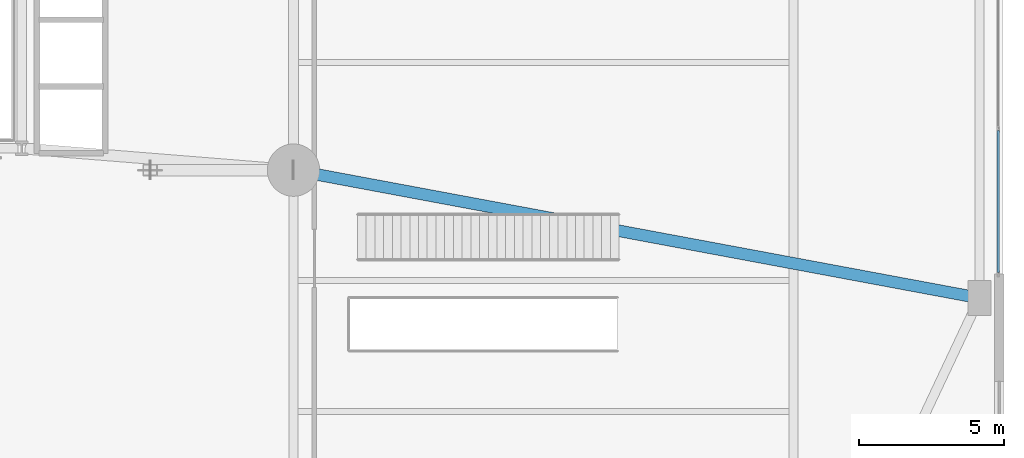
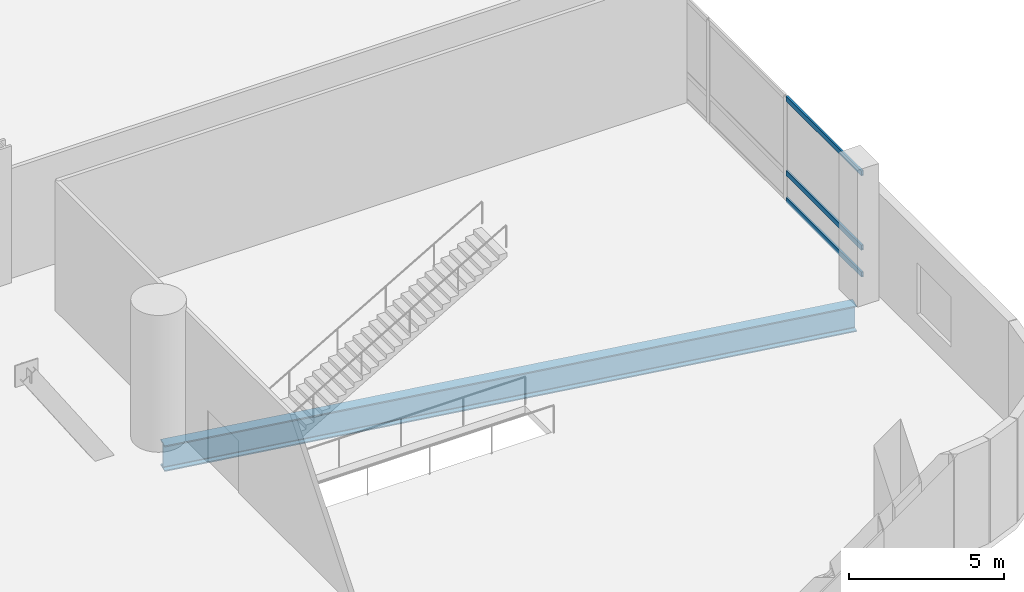
# One storey, part 20 of 40: 3 members, 1 beam, 1 element without a shape of its own.
"""IFC4 building model written with IfcOpenShell, lengths in metres."""

from ifc_helpers import new_model, si_unit, direction, frame, origin, origin_2d, place, context, subcontext, project, spatial, hollow_rectangle, i_section, extrude, material, layer, layer_set, material_profile, profile_set, type_object, element, aggregate, save


model = new_model("IFC4")

# Units and contexts
model_context = context("Model", 3, precision=1e-05, world=origin(), true_north=direction((0.0, 1.0)))
body_context = subcontext(model_context, "Body", "Model", "MODEL_VIEW")
ifc_project = project(units=[si_unit("LENGTHUNIT", "METRE"), si_unit("AREAUNIT", "SQUARE_METRE"), si_unit("VOLUMEUNIT", "CUBIC_METRE"), si_unit("PLANEANGLEUNIT", "RADIAN"), si_unit("MASSUNIT", "GRAM", prefix="KILO")], contexts=[model_context])

# Site, building, storey
site_placement = place(None, origin())
site = spatial("IfcSite", under=ifc_project, at=site_placement, CompositionType="ELEMENT")
building_placement = place(site_placement, origin())
building = spatial("IfcBuilding", under=site, at=building_placement, Name="Varnelok Gate Tower", CompositionType="ELEMENT")
storey_placement = place(building_placement, frame((0.0, 0.0, 5.39990234375)))
storey = spatial("IfcBuildingStorey", under=building, at=storey_placement, Name="L01", CompositionType="ELEMENT", Elevation=5.39990234375)

# Beam
ifc_material_1 = material(Name="Structural Steel ASTM A992 Grade 50", Category="steel")
ifc_material_profile_1 = material_profile(ifc_material_1, i_section(OverallWidth=0.404052734375, OverallDepth=1.02001953125, WebThickness=0.025390625, FlangeThickness=0.0458984375, FilletRadius=0.030029296875, at=origin_2d()), Name="W40X324")
ifc_profile_set_1 = profile_set([ifc_material_profile_1], Name="Structural Steel ASTM A992 Grade 50")
beam_type = type_object("IfcBeamType", Name="BM-SPR-W40X324", PredefinedType="BEAM", material=ifc_profile_set_1)
beam_placement = place(storey_placement, frame((54.1376953125, 18.7744140625, -0.789794921875), z_axis=(0.983060613177, -0.18328074318, 0.0), x_axis=(0.18328074318, 0.983060613177, 0.0)))
element("IfcBeam", 1, at=beam_placement, inside=storey, type_object=beam_type, Name="L01 Podium Primary Girder 17", PredefinedType="BEAM", context=body_context, shape_type="SweptSolid", body=[
    extrude(i_section(OverallWidth=0.404052734375, OverallDepth=1.02001953125, WebThickness=0.025390625, FlangeThickness=0.0458984375, FilletRadius=0.030029296875, at=origin_2d()), origin(), (0.0, 0.0, 1.0), 23.7265625),
])

# Curtain wall, members
ifc_material_2 = material(Name="Anodized Aluminum Alloy 6063-T6", Category="aluminium")
ifc_layer = layer(ifc_material_2, 0.179931640625)
ifc_layer_set = layer_set([ifc_layer], Name="Anodized Aluminum Alloy 6063-T6")
curtain_wall_type = type_object("IfcCurtainWallType", Name="CW1-ARCH-PORTAL", PredefinedType="USERDEFINED", material=ifc_layer_set)
curtain_wall_placement = place(storey_placement, origin())
curtain_wall = element("IfcCurtainWall", 2, at=curtain_wall_placement, inside=storey, type_object=curtain_wall_type, Name="L01 Podium Portal Curtain Wall E", ObjectType="UNITISED CURTAIN WALL", PredefinedType="USERDEFINED")
ifc_material_profile_2 = material_profile(ifc_material_2, hollow_rectangle(XDim=0.074951171875, YDim=0.199951171875, WallThickness=0.00390625, at=origin_2d()), Name="ALU200X75X4")
ifc_profile_set_2 = profile_set([ifc_material_profile_2], Name="Anodized Aluminum Alloy 6063-T6")
member_type = type_object("IfcMemberType", Name="CW-TRAN-200", PredefinedType="USERDEFINED", material=ifc_profile_set_2)
member_1_placement = place(storey_placement, frame((78.239990234375, 20.16259765625, 0.03759765625), z_axis=(0.0, -1.0, 0.0), x_axis=(1.0, 0.0, 0.0)))
member_1 = element("IfcMember", 3, at=member_1_placement, type_object=member_type, Name="CW1 transom 4.1", ObjectType="TRANSOM", PredefinedType="USERDEFINED", context=body_context, shape_type="SweptSolid", body=[
    extrude(hollow_rectangle(XDim=0.074951171875, YDim=0.199951171875, WallThickness=0.00390625, at=origin_2d()), origin(), (0.0, 0.0, 1.0), 4.8876953125),
])
member_2_placement = place(storey_placement, frame((78.239990234375, 20.16259765625, 1.10009765625), z_axis=(0.0, -1.0, 0.0), x_axis=(1.0, 0.0, 0.0)))
member_2 = element("IfcMember", 4, at=member_2_placement, type_object=member_type, Name="CW1 transom 4.2", ObjectType="TRANSOM", PredefinedType="USERDEFINED", context=body_context, shape_type="SweptSolid", body=[
    extrude(hollow_rectangle(XDim=0.074951171875, YDim=0.199951171875, WallThickness=0.00390625, at=origin_2d()), origin(), (0.0, 0.0, 1.0), 4.8876953125),
])
member_3_placement = place(storey_placement, frame((78.239990234375, 20.16259765625, 4.03271484375), z_axis=(0.0, -1.0, 0.0), x_axis=(1.0, 0.0, 0.0)))
member_3 = element("IfcMember", 5, at=member_3_placement, type_object=member_type, Name="CW1 transom 4.3", ObjectType="TRANSOM", PredefinedType="USERDEFINED", context=body_context, shape_type="SweptSolid", body=[
    extrude(hollow_rectangle(XDim=0.074951171875, YDim=0.199951171875, WallThickness=0.00390625, at=origin_2d()), origin(), (0.0, 0.0, 1.0), 4.8876953125),
])
aggregate(curtain_wall, [member_1, member_2, member_3])

save(model, "model.ifc")
